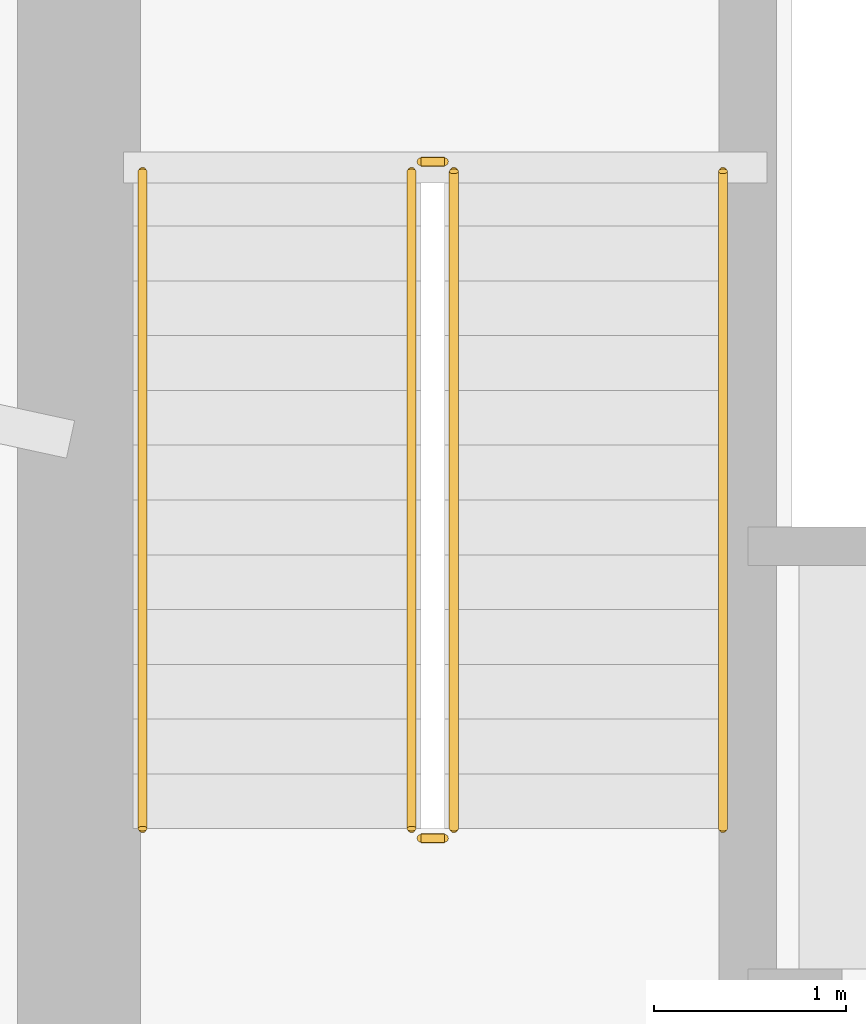
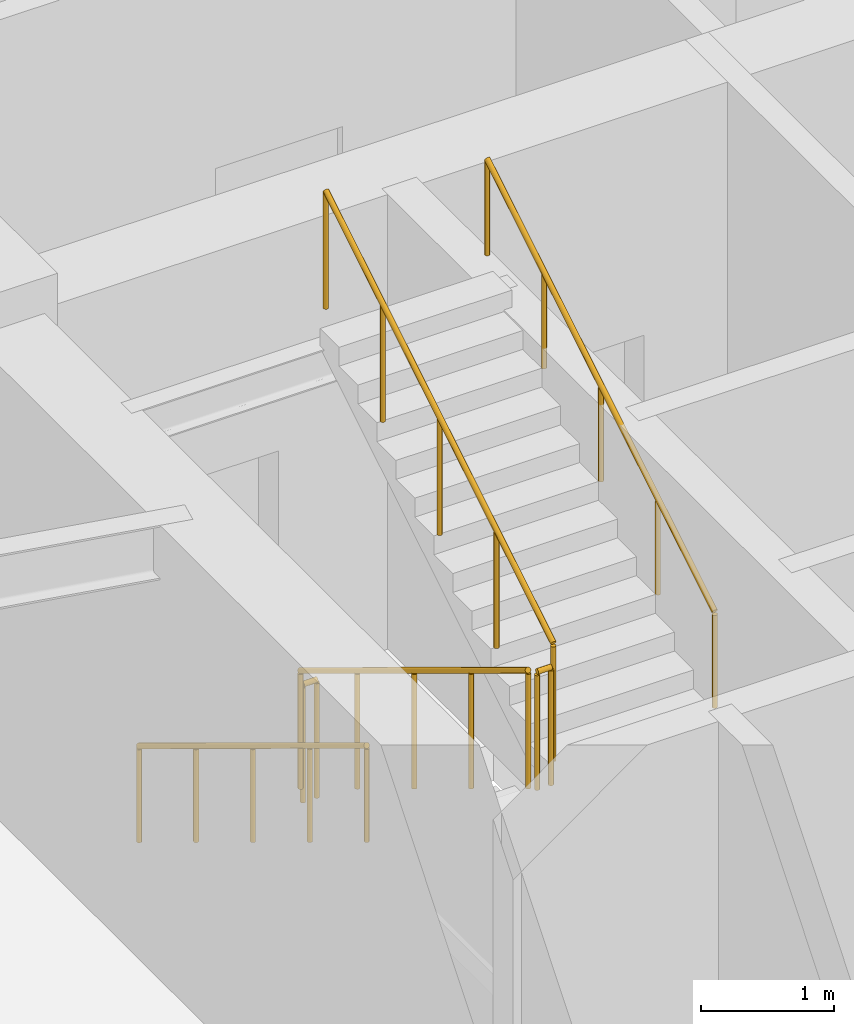
# One storey, part 14 of 18: 6 railings.
"""IFC4 building model written with IfcOpenShell, lengths in metres."""

from ifc_helpers import new_model, si_unit, direction, frame, origin, origin_2d, place, context, subcontext, project, spatial, circle, extrude, material, type_object, element, save


model = new_model("IFC4")

# Units and contexts
model_context = context("Model", 3, precision=1e-05, world=origin(), true_north=direction((0.0, 1.0)))
body_context = subcontext(model_context, "Body", "Model", "MODEL_VIEW")
ifc_project = project(units=[si_unit("LENGTHUNIT", "METRE"), si_unit("AREAUNIT", "SQUARE_METRE"), si_unit("VOLUMEUNIT", "CUBIC_METRE"), si_unit("PLANEANGLEUNIT", "RADIAN"), si_unit("MASSUNIT", "GRAM", prefix="KILO")], contexts=[model_context])

# Site, building, storey
site_placement = place(None, origin())
site = spatial("IfcSite", under=ifc_project, at=site_placement, CompositionType="ELEMENT")
building_placement = place(site_placement, origin())
building = spatial("IfcBuilding", under=site, at=building_placement, Name="Qobustan Lattice House", CompositionType="ELEMENT")
storey_placement = place(building_placement, origin())
storey = spatial("IfcBuildingStorey", under=building, at=storey_placement, Name="L00", CompositionType="ELEMENT", Elevation=0.0)

# Railings
ifc_material_1 = material(Name="Brushed stainless steel handrail", Category="steel")
railing_type_1 = type_object("IfcRailingType", Name="RAL-HR-920", PredefinedType="HANDRAIL", material=ifc_material_1)
railing_1_placement = place(storey_placement, frame((-18.199951171875, 3.5, 0.173095703125)))
element("IfcRailing", 1, at=railing_1_placement, inside=storey, type_object=railing_type_1, Name="L00 ST-W1 stair handrail 1", PredefinedType="HANDRAIL", context=body_context, shape_type="SweptSolid", body=[
    extrude(circle(Radius=0.02392578125, at=origin_2d()), frame((0.0, 0.0, 0.8759765625), z_axis=(0.0, -0.854729506542, 0.519073665916), x_axis=(1.0, 0.0, 0.0)), (0.0, 0.0, 1.0), 4.001220703125),
    extrude(circle(Radius=0.02099609375, at=origin_2d()), origin(), (0.0, 0.0, 1.0), 0.851806640625),
    extrude(circle(Radius=0.02099609375, at=origin_2d()), frame((0.0, -0.85498046875, 0.519287109375)), (0.0, 0.0, 1.0), 0.851806640625),
    extrude(circle(Radius=0.02099609375, at=origin_2d()), frame((0.0, -1.7099609375, 1.03857421875)), (0.0, 0.0, 1.0), 0.851806640625),
    extrude(circle(Radius=0.02099609375, at=origin_2d()), frame((0.0, -2.56494140625, 1.5576171875)), (0.0, 0.0, 1.0), 0.851806640625),
    extrude(circle(Radius=0.02099609375, at=origin_2d()), frame((0.0, -3.419921875, 2.076904296875)), (0.0, 0.0, 1.0), 0.851806640625),
])
railing_2_placement = place(storey_placement, frame((-15.179931640625, 0.080078125, 2.423095703125)))
element("IfcRailing", 2, at=railing_2_placement, inside=storey, type_object=railing_type_1, Name="L00 ST-W1 stair handrail 2", PredefinedType="HANDRAIL", context=body_context, shape_type="SweptSolid", body=[
    extrude(circle(Radius=0.02392578125, at=origin_2d()), frame((0.0, 0.0, 0.8759765625), z_axis=(0.0, 0.854729506542, 0.519073665916), x_axis=(-1.0, 0.0, 0.0)), (0.0, 0.0, 1.0), 4.001220703125),
    extrude(circle(Radius=0.02099609375, at=origin_2d()), origin(), (0.0, 0.0, 1.0), 0.851806640625),
    extrude(circle(Radius=0.02099609375, at=origin_2d()), frame((0.0, 0.85498046875, 0.519287109375)), (0.0, 0.0, 1.0), 0.851806640625),
    extrude(circle(Radius=0.02099609375, at=origin_2d()), frame((0.0, 1.7099609375, 1.03857421875)), (0.0, 0.0, 1.0), 0.851806640625),
    extrude(circle(Radius=0.02099609375, at=origin_2d()), frame((0.0, 2.56494140625, 1.5576171875)), (0.0, 0.0, 1.0), 0.851806640625),
    extrude(circle(Radius=0.02099609375, at=origin_2d()), frame((0.0, 3.419921875, 2.076904296875)), (0.0, 0.0, 1.0), 0.851806640625),
])
ifc_material_2 = material(Name="Painted galvanized steel guardrail", Category="steel")
railing_type_2 = type_object("IfcRailingType", Name="RAL-STG-1150", PredefinedType="GUARDRAIL", material=ifc_material_2)
railing_3_placement = place(storey_placement, frame((-16.800048828125, 3.5, 0.173095703125)))
element("IfcRailing", 3, at=railing_3_placement, inside=storey, type_object=railing_type_2, Name="L00 ST-W1 stair guard 1", PredefinedType="GUARDRAIL", context=body_context, shape_type="SweptSolid", body=[
    extrude(circle(Radius=0.02392578125, at=origin_2d()), frame((0.0, 0.0, 1.076171875), z_axis=(0.0, -0.854729506542, 0.519073665916), x_axis=(1.0, 0.0, 0.0)), (0.0, 0.0, 1.0), 4.001220703125),
    extrude(circle(Radius=0.02099609375, at=origin_2d()), origin(), (0.0, 0.0, 1.0), 1.052001953125),
    extrude(circle(Radius=0.02099609375, at=origin_2d()), frame((0.0, -0.85498046875, 0.519287109375)), (0.0, 0.0, 1.0), 1.052001953125),
    extrude(circle(Radius=0.02099609375, at=origin_2d()), frame((0.0, -1.7099609375, 1.03857421875)), (0.0, 0.0, 1.0), 1.052001953125),
    extrude(circle(Radius=0.02099609375, at=origin_2d()), frame((0.0, -2.56494140625, 1.5576171875)), (0.0, 0.0, 1.0), 1.052001953125),
    extrude(circle(Radius=0.02099609375, at=origin_2d()), frame((0.0, -3.419921875, 2.076904296875)), (0.0, 0.0, 1.0), 1.052001953125),
])
railing_4_placement = place(storey_placement, frame((-16.75, 0.030029296875, 2.25)))
element("IfcRailing", 4, at=railing_4_placement, inside=storey, type_object=railing_type_2, Name="L00 ST-W1 stair guard 2", PredefinedType="GUARDRAIL", context=body_context, shape_type="SweptSolid", body=[
    extrude(circle(Radius=0.02392578125, at=origin_2d()), frame((0.0, 0.0, 1.076171875), z_axis=(1.0, 0.0, 0.0), x_axis=(0.0, 1.0, 0.0)), (0.0, 0.0, 1.0), 0.1201171875),
    extrude(circle(Radius=0.02099609375, at=origin_2d()), origin(), (0.0, 0.0, 1.0), 1.052001953125),
    extrude(circle(Radius=0.02099609375, at=origin_2d()), frame((0.1201171875, 0.0, 0.0)), (0.0, 0.0, 1.0), 1.052001953125),
])
railing_5_placement = place(storey_placement, frame((-16.580078125, 0.080078125, 2.423095703125)))
element("IfcRailing", 5, at=railing_5_placement, inside=storey, type_object=railing_type_2, Name="L00 ST-W1 stair guard 3", PredefinedType="GUARDRAIL", context=body_context, shape_type="SweptSolid", body=[
    extrude(circle(Radius=0.02392578125, at=origin_2d()), frame((0.0, 0.0, 1.076171875), z_axis=(0.0, 0.854729506542, 0.519073665916), x_axis=(-1.0, 0.0, 0.0)), (0.0, 0.0, 1.0), 4.001220703125),
    extrude(circle(Radius=0.02099609375, at=origin_2d()), origin(), (0.0, 0.0, 1.0), 1.052001953125),
    extrude(circle(Radius=0.02099609375, at=origin_2d()), frame((0.0, 0.85498046875, 0.519287109375)), (0.0, 0.0, 1.0), 1.052001953125),
    extrude(circle(Radius=0.02099609375, at=origin_2d()), frame((0.0, 1.7099609375, 1.03857421875)), (0.0, 0.0, 1.0), 1.052001953125),
    extrude(circle(Radius=0.02099609375, at=origin_2d()), frame((0.0, 2.56494140625, 1.5576171875)), (0.0, 0.0, 1.0), 1.052001953125),
    extrude(circle(Radius=0.02099609375, at=origin_2d()), frame((0.0, 3.419921875, 2.076904296875)), (0.0, 0.0, 1.0), 1.052001953125),
])
railing_6_placement = place(storey_placement, frame((-16.75, 3.550048828125, 0.0)))
element("IfcRailing", 6, at=railing_6_placement, inside=storey, type_object=railing_type_2, Name="L00 ST-W1 stair guard 4", PredefinedType="GUARDRAIL", context=body_context, shape_type="SweptSolid", body=[
    extrude(circle(Radius=0.02392578125, at=origin_2d()), frame((0.0, 0.0, 1.076171875), z_axis=(1.0, 0.0, 0.0), x_axis=(0.0, 1.0, 0.0)), (0.0, 0.0, 1.0), 0.1201171875),
    extrude(circle(Radius=0.02099609375, at=origin_2d()), origin(), (0.0, 0.0, 1.0), 1.052001953125),
    extrude(circle(Radius=0.02099609375, at=origin_2d()), frame((0.1201171875, 0.0, 0.0)), (0.0, 0.0, 1.0), 1.052001953125),
])

save(model, "model.ifc")
